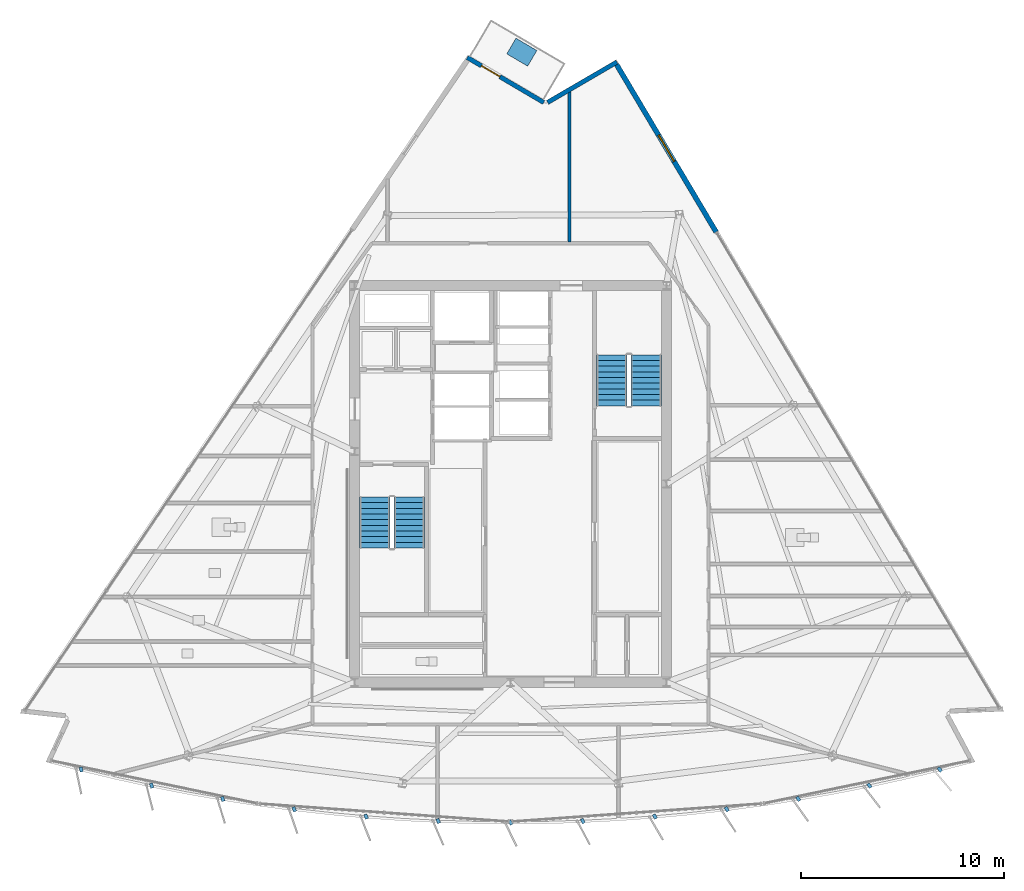
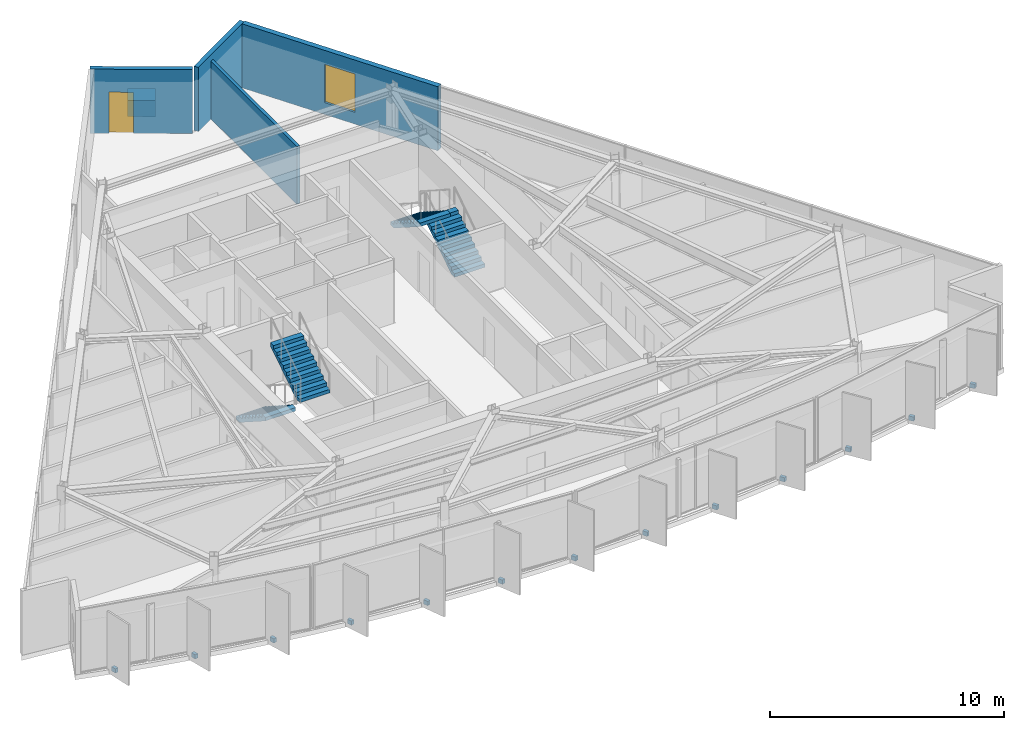
# One storey, part 9 of 13: 14 discrete accessories, 4 stair flights, 4 walls, 1 door, 1 window, 2 openings, 2 elements without a shape of their own.
"""IFC4 building model written with IfcOpenShell, lengths in metres."""

from ifc_helpers import new_model, si_unit, direction, frame, frame_2d, origin, origin_2d, place, context, subcontext, project, spatial, polyline, rectangle, outline, extrude, material, layer, layer_set, type_object, element, fill, aggregate, save


model = new_model("IFC4")

# Units and contexts
model_context = context("Model", 3, precision=1e-05, world=origin(), true_north=direction((0.0, 1.0)))
body_context = subcontext(model_context, "Body", "Model", "MODEL_VIEW")
ifc_project = project(units=[si_unit("LENGTHUNIT", "METRE"), si_unit("AREAUNIT", "SQUARE_METRE"), si_unit("VOLUMEUNIT", "CUBIC_METRE"), si_unit("PLANEANGLEUNIT", "RADIAN"), si_unit("MASSUNIT", "GRAM", prefix="KILO")], contexts=[model_context])

# Site, building, storey
site_placement = place(None, origin())
site = spatial("IfcSite", under=ifc_project, at=site_placement, CompositionType="ELEMENT")
building_placement = place(site_placement, origin())
building = spatial("IfcBuilding", under=site, at=building_placement, Name="Savorim Split Tower", CompositionType="ELEMENT")
storey_placement = place(building_placement, frame((0.0, 0.0, 250.800048828125)))
storey = spatial("IfcBuildingStorey", under=building, at=storey_placement, Name="L66", CompositionType="ELEMENT", Elevation=250.800048828125)

# Wall
ifc_material_1 = material(Name="Precast concrete C40/50", Category="concrete")
ifc_layer_1 = layer(ifc_material_1, 0.219970703125)
ifc_layer_set_1 = layer_set([ifc_layer_1], Name="WAL-EXT-CRN220")
wall_type_1 = type_object("IfcWallType", Name="WAL-EXT-CRN220", PredefinedType="SOLIDWALL", material=ifc_layer_set_1)
wall_1_placement = place(storey_placement, frame((1.832275390625, 19.233642578125, 0.0), z_axis=(0.0, 0.0, 1.0), x_axis=(0.86397765749, 0.503530145432, 0.0)))
element("IfcWall", 1, at=wall_1_placement, inside=storey, type_object=wall_type_1, Name="L66 Notched Corner Facade Wall NE1", PredefinedType="SOLIDWALL", context=body_context, shape_type="SweptSolid", body=[
    extrude(rectangle(XDim=3.963623046875, YDim=0.219970703125, at=frame_2d((1.98193359375, 0.0))), origin(), (0.0, 0.0, 1.0), 3.349853515625),
])

# Wall, opening, door
wall_2_placement = place(storey_placement, frame((-2.1337890625, 21.453125, 0.0), z_axis=(0.0, 0.0, 1.0), x_axis=(0.862106131527, -0.506727755292, 0.0)))
wall_2 = element("IfcWall", 2, at=wall_2_placement, inside=storey, type_object=wall_type_1, Name="L66 Notched Corner Facade Wall N", PredefinedType="SOLIDWALL", context=body_context, shape_type="SweptSolid", body=[
    extrude(rectangle(XDim=4.379638671875, YDim=0.219970703125, at=frame_2d((2.18994140625, 0.0))), origin(), (0.0, 0.0, 1.0), 3.349853515625),
])
opening_1_placement = place(wall_2_placement, frame((0.814697265625, 0.0, 0.0)))
opening_1 = element("IfcOpeningElement", 3, at=opening_1_placement, cuts=wall_2, Name="Opening DB-01", PredefinedType="OPENING", context=body_context, shape_type="SweptSolid", body=[
    extrude(rectangle(XDim=1.050048828125, YDim=2.14990234375, at=frame_2d((0.52490234375, 1.074951171875))), frame((0.0, 0.119873046875, 0.0), z_axis=(0.0, -1.0, 0.0), x_axis=(1.0, 0.0, 0.0)), (0.0, 0.0, 1.0), 0.239990234375),
])
ifc_material_2 = material(Name="Charcoal Anodised Aluminium", Category="aluminium")
door_type = type_object("IfcDoorType", Name="DOR-BAL-1050", OperationType="NOTDEFINED", PredefinedType="DOOR", material=ifc_material_2)
door_placement = place(opening_1_placement, origin())
door = element("IfcDoor", 4, at=door_placement, inside=storey, type_object=door_type, Name="DOR-L66-TBAL-N - L66 Planted Tree Balcony Door N", OperationType="SINGLE_SWING_LEFT", OverallHeight=2.14990234375, OverallWidth=1.050048828125, PredefinedType="DOOR", context=body_context, shape_type="SweptSolid", body=[
    extrude(rectangle(XDim=1.050048828125, YDim=2.14990234375, at=frame_2d((0.52490234375, 1.074951171875))), frame((0.0, 0.02490234375, 0.0), z_axis=(0.0, -1.0, 0.0), x_axis=(1.0, 0.0, 0.0)), (0.0, 0.0, 1.0), 0.050048828125),
])
fill(opening_1, door)

# Wall, opening, window
ifc_layer_2 = layer(ifc_material_1, 0.25)
ifc_layer_set_2 = layer_set([ifc_layer_2], Name="WAL-EXT-SPN250")
wall_type_2 = type_object("IfcWallType", Name="WAL-EXT-SPN250", PredefinedType="SOLIDWALL", material=ifc_layer_set_2)
wall_3_placement = place(storey_placement, frame((5.240234375, 21.10302734375, 0.0), z_axis=(0.0, 0.0, 1.0), x_axis=(0.511088566076, -0.859528055171, 0.0)))
wall_3 = element("IfcWall", 5, at=wall_3_placement, inside=storey, type_object=wall_type_2, Name="L66 East Operable Window Pier", PredefinedType="SOLIDWALL", context=body_context, shape_type="SweptSolid", body=[
    extrude(rectangle(XDim=9.62158203125, YDim=0.25, at=frame_2d((4.810791015625, 0.0))), origin(), (0.0, 0.0, 1.0), 3.349853515625),
])
opening_2_placement = place(wall_3_placement, frame((4.060791015625, 0.0, 0.6201171875)))
opening_2 = element("IfcOpeningElement", 6, at=opening_2_placement, cuts=wall_3, Name="Opening WN-06", PredefinedType="OPENING", context=body_context, shape_type="SweptSolid", body=[
    extrude(rectangle(XDim=1.5, YDim=2.0, at=frame_2d((0.75, 1.0))), frame((0.0, 0.135009765625, 0.0), z_axis=(0.0, -1.0, 0.0), x_axis=(1.0, 0.0, 0.0)), (0.0, 0.0, 1.0), 0.27001953125),
])
ifc_material_3 = material(Name="Low-E Operable Double Glazing", Category="glass")
window_type = type_object("IfcWindowType", Name="WIN-TWR-1500x2000", PartitioningType="SINGLE_PANEL", PredefinedType="WINDOW", material=ifc_material_3)
window_placement = place(opening_2_placement, origin())
window = element("IfcWindow", 7, at=window_placement, inside=storey, type_object=window_type, Name="L66 East Operable Ventilation Window", OverallHeight=2.0, OverallWidth=1.5, PartitioningType="SINGLE_PANEL", PredefinedType="WINDOW", context=body_context, shape_type="SweptSolid", body=[
    extrude(rectangle(XDim=1.5, YDim=2.0, at=frame_2d((0.75, 1.0))), frame((0.0, 0.030029296875, 0.0), z_axis=(0.0, -1.0, 0.0), x_axis=(1.0, 0.0, 0.0)), (0.0, 0.0, 1.0), 0.06005859375),
])
fill(opening_2, window)

# Wall
ifc_material_4 = material(Name="Acoustic Gypsum Partition Board")
ifc_layer_3 = layer(ifc_material_4, 0.14990234375)
ifc_layer_set_3 = layer_set([ifc_layer_3], Name="WAL-PAR-150")
wall_type_3 = type_object("IfcWallType", Name="WAL-PAR-150", PredefinedType="PARTITIONING", material=ifc_layer_set_3)
wall_4_placement = place(storey_placement, frame((2.902587890625, 12.340087890625, 0.0), z_axis=(0.0, 0.0, 1.0), x_axis=(0.0, 1.0, 0.0)))
element("IfcWall", 8, at=wall_4_placement, inside=storey, type_object=wall_type_3, Name="L66 Partition W-L66-SUB11", PredefinedType="PARTITIONING", context=body_context, shape_type="SweptSolid", body=[
    extrude(rectangle(XDim=7.459716796875, YDim=0.14990234375, at=frame_2d((3.72998046875, 0.0))), origin(), (0.0, 0.0, 1.0), 3.014892578125),
])

# Stair, stair flights
ifc_material_5 = material(Name="Concrete C50/60", Category="concrete")
stair_type = type_object("IfcStairType", Name="STR-DOG-3600", PredefinedType="HALF_TURN_STAIR", material=ifc_material_5)
stair_1_placement = place(storey_placement, origin())
stair_1 = element("IfcStair", 9, at=stair_1_placement, inside=storey, type_object=stair_type, Name="L66 Core Protected Exit Stair ST-1", PredefinedType="HALF_TURN_STAIR")
stair_flight_type = type_object("IfcStairFlightType", Name="SFL-DOG-3600", PredefinedType="STRAIGHT", material=ifc_material_5)
stair_flight_1_placement = place(storey_placement, frame((-6.699951171875, -0.25, 0.0), z_axis=(0.0, 0.0, 1.0), x_axis=(0.0, -1.0, 0.0)))
stair_flight_1 = element("IfcStairFlight", 10, at=stair_flight_1_placement, type_object=stair_flight_type, Name="ST-1 flight 1", NumberOfRisers=10, NumberOfTreads=9, PredefinedType="STRAIGHT", RiserHeight=0.18, TreadLength=0.28, context=body_context, shape_type="SweptSolid", body=[
    extrude(outline(polyline([(0.0, 0.0), (0.0, 0.179931640625), (0.280029296875, 0.179931640625), (0.280029296875, 0.360107421875), (0.56005859375, 0.360107421875), (0.56005859375, 0.5400390625), (0.840087890625, 0.5400390625), (0.840087890625, 0.719970703125), (1.1201171875, 0.719970703125), (1.1201171875, 0.89990234375), (1.39990234375, 0.89990234375), (1.39990234375, 1.080078125), (1.679931640625, 1.080078125), (1.679931640625, 1.260009765625), (1.9599609375, 1.260009765625), (1.9599609375, 1.43994140625), (2.239990234375, 1.43994140625), (2.239990234375, 1.6201171875), (2.52001953125, 1.6201171875), (2.52001953125, 1.800048828125), (2.52001953125, 1.44189453125), (0.277099609375, 0.0), (0.0, 0.0)])), frame((0.0, 0.75, 0.0), z_axis=(0.0, -1.0, 0.0), x_axis=(1.0, 0.0, 0.0)), (0.0, 0.0, 1.0), 1.5),
])
stair_flight_2_placement = place(storey_placement, frame((-5.0, -2.77001953125, 1.800048828125), z_axis=(0.0, 0.0, 1.0), x_axis=(0.0, 1.0, 0.0)))
stair_flight_2 = element("IfcStairFlight", 11, at=stair_flight_2_placement, type_object=stair_flight_type, Name="ST-1 flight 2", NumberOfRisers=10, NumberOfTreads=9, PredefinedType="STRAIGHT", RiserHeight=0.18, TreadLength=0.28, context=body_context, shape_type="SweptSolid", body=[
    extrude(outline(polyline([(0.0, 0.0), (0.0, 0.179931640625), (0.280029296875, 0.179931640625), (0.280029296875, 0.360107421875), (0.56005859375, 0.360107421875), (0.56005859375, 0.5400390625), (0.840087890625, 0.5400390625), (0.840087890625, 0.719970703125), (1.1201171875, 0.719970703125), (1.1201171875, 0.89990234375), (1.39990234375, 0.89990234375), (1.39990234375, 1.080078125), (1.679931640625, 1.080078125), (1.679931640625, 1.260009765625), (1.9599609375, 1.260009765625), (1.9599609375, 1.43994140625), (2.239990234375, 1.43994140625), (2.239990234375, 1.6201171875), (2.52001953125, 1.6201171875), (2.52001953125, 1.800048828125), (2.52001953125, 1.44189453125), (0.277099609375, 0.0), (0.0, 0.0)])), frame((0.0, 0.75, 0.0), z_axis=(0.0, -1.0, 0.0), x_axis=(1.0, 0.0, 0.0)), (0.0, 0.0, 1.0), 1.5),
])
aggregate(stair_1, [stair_flight_1, stair_flight_2])

stair_2_placement = place(storey_placement, origin())
stair_2 = element("IfcStair", 12, at=stair_2_placement, inside=storey, type_object=stair_type, Name="L66 Core Protected Exit Stair ST-2", PredefinedType="HALF_TURN_STAIR")
stair_flight_3_placement = place(storey_placement, frame((6.699951171875, 4.25, 0.0), z_axis=(0.0, 0.0, 1.0), x_axis=(0.0, 1.0, 0.0)))
stair_flight_3 = element("IfcStairFlight", 13, at=stair_flight_3_placement, type_object=stair_flight_type, Name="ST-2 flight 1", NumberOfRisers=10, NumberOfTreads=9, PredefinedType="STRAIGHT", RiserHeight=0.18, TreadLength=0.28, context=body_context, shape_type="SweptSolid", body=[
    extrude(outline(polyline([(0.0, 0.0), (0.0, 0.179931640625), (0.280029296875, 0.179931640625), (0.280029296875, 0.360107421875), (0.56005859375, 0.360107421875), (0.56005859375, 0.5400390625), (0.840087890625, 0.5400390625), (0.840087890625, 0.719970703125), (1.1201171875, 0.719970703125), (1.1201171875, 0.89990234375), (1.39990234375, 0.89990234375), (1.39990234375, 1.080078125), (1.679931640625, 1.080078125), (1.679931640625, 1.260009765625), (1.9599609375, 1.260009765625), (1.9599609375, 1.43994140625), (2.239990234375, 1.43994140625), (2.239990234375, 1.6201171875), (2.52001953125, 1.6201171875), (2.52001953125, 1.800048828125), (2.52001953125, 1.44189453125), (0.277099609375, 0.0), (0.0, 0.0)])), frame((0.0, 0.75, 0.0), z_axis=(0.0, -1.0, 0.0), x_axis=(1.0, 0.0, 0.0)), (0.0, 0.0, 1.0), 1.5),
])
stair_flight_4_placement = place(storey_placement, frame((5.0, 6.77001953125, 1.800048828125), z_axis=(0.0, 0.0, 1.0), x_axis=(0.0, -1.0, 0.0)))
stair_flight_4 = element("IfcStairFlight", 14, at=stair_flight_4_placement, type_object=stair_flight_type, Name="ST-2 flight 2", NumberOfRisers=10, NumberOfTreads=9, PredefinedType="STRAIGHT", RiserHeight=0.18, TreadLength=0.28, context=body_context, shape_type="SweptSolid", body=[
    extrude(outline(polyline([(0.0, 0.0), (0.0, 0.179931640625), (0.280029296875, 0.179931640625), (0.280029296875, 0.360107421875), (0.56005859375, 0.360107421875), (0.56005859375, 0.5400390625), (0.840087890625, 0.5400390625), (0.840087890625, 0.719970703125), (1.1201171875, 0.719970703125), (1.1201171875, 0.89990234375), (1.39990234375, 0.89990234375), (1.39990234375, 1.080078125), (1.679931640625, 1.080078125), (1.679931640625, 1.260009765625), (1.9599609375, 1.260009765625), (1.9599609375, 1.43994140625), (2.239990234375, 1.43994140625), (2.239990234375, 1.6201171875), (2.52001953125, 1.6201171875), (2.52001953125, 1.800048828125), (2.52001953125, 1.44189453125), (0.277099609375, 0.0), (0.0, 0.0)])), frame((0.0, 0.75, 0.0), z_axis=(0.0, -1.0, 0.0), x_axis=(1.0, 0.0, 0.0)), (0.0, 0.0, 1.0), 1.5),
])
aggregate(stair_2, [stair_flight_3, stair_flight_4])

# Discrete accessories
ifc_material_6 = material(Name="Steel S355", Category="steel")
discrete_accessory_type_1 = type_object("IfcDiscreteAccessoryType", Name="ACC-BRK-FIN", PredefinedType="BRACKET", material=ifc_material_6)
for number, where, z_axis, x_axis, name in (
    (15, (-21.19970703125, -13.70703125, -0.18994140625), (0.0, 0.0, 1.0), (0.206721626106, -0.978399800337, 0.0), "L66 Fin Slab-Edge Cleat Bracket 01"),
    (16, (-17.720947265625, -14.503662109375, -0.18994140625), (0.0, 0.0, 1.0), (0.246581250663, -0.969122121727, 0.0), "L66 Fin Slab-Edge Cleat Bracket 02"),
    (17, (-14.21240234375, -15.1572265625, -0.18994140625), (0.0, 0.0, 1.0), (0.286026212504, -0.958221793616, 0.0), "L66 Fin Slab-Edge Cleat Bracket 03"),
    (18, (-10.680419921875, -15.666748046875, -0.18994140625), (0.0, 0.0, 1.0), (0.324993810493, -0.945716143005, 0.0), "L66 Fin Slab-Edge Cleat Bracket 04"),
    (19, (-7.130126953125, -16.03125, -0.18994140625), (0.0, 0.0, 1.0), (0.363415461732, -0.931627179817, 0.0), "L66 Fin Slab-Edge Cleat Bracket 05"),
    (20, (-3.568115234375, -16.250244140625, -0.18994140625), (0.0, 0.0, 1.0), (0.401230091723, -0.915977299662, 0.0), "L66 Fin Slab-Edge Cleat Bracket 06"),
    (21, (0.0, -16.3232421875, -0.18994140625), (0.0, 0.0, 1.0), (0.438371146789, -0.898794046299, 0.0), "L66 Fin Slab-Edge Cleat Bracket 07"),
    (22, (3.568115234375, -16.250244140625, -0.18994140625), (0.0, 0.0, 1.0), (0.474778051978, -0.880105562623, 0.0), "L66 Fin Slab-Edge Cleat Bracket 08"),
    (23, (7.130126953125, -16.03125, -0.18994140625), (0.0, 0.0, 1.0), (0.510391336723, -0.859942255851, 0.0), "L66 Fin Slab-Edge Cleat Bracket 09"),
    (24, (10.680419921875, -15.666748046875, -0.18994140625), (0.0, 0.0, 1.0), (0.545148321708, -0.838339613366, 0.0), "L66 Fin Slab-Edge Cleat Bracket 10"),
    (25, (14.21240234375, -15.1572265625, -0.18994140625), (0.0, 0.0, 1.0), (0.578993757737, -0.815331974414, 0.0), "L66 Fin Slab-Edge Cleat Bracket 11"),
    (26, (17.720947265625, -14.503662109375, -0.18994140625), (0.0, 0.0, 1.0), (0.611868076908, -0.790959832394, 0.0), "L66 Fin Slab-Edge Cleat Bracket 12"),
    (27, (21.19970703125, -13.70703125, -0.18994140625), (0.0, 0.0, 1.0), (0.643719022682, -0.765261928909, 0.0), "L66 Fin Slab-Edge Cleat Bracket 13"),
):
    element("IfcDiscreteAccessory", number, at=place(storey_placement, frame(where, z_axis=z_axis, x_axis=x_axis)), inside=storey, type_object=discrete_accessory_type_1, Name=name, PredefinedType="BRACKET", context=body_context, shape_type="SweptSolid", body=[
        extrude(rectangle(XDim=0.239990234375, YDim=0.159912109375, at=origin_2d()), origin(), (0.0, 0.0, 1.0), 0.219970703125),
    ])
ifc_material_7 = material(Name="Architectural Precast Planter Concrete C40/50", Category="concrete")
discrete_accessory_type_2 = type_object("IfcDiscreteAccessoryType", Name="ACC-PLN-TREE", PredefinedType="USERDEFINED", material=ifc_material_7)
discrete_accessory_placement = place(storey_placement, frame((0.5595703125, 21.71435546875, 0.0), z_axis=(0.0, 0.0, 1.0), x_axis=(-0.862124808883, 0.50669597779, 0.0)))
element("IfcDiscreteAccessory", 28, at=discrete_accessory_placement, inside=storey, type_object=discrete_accessory_type_2, Name="L66 Balcony Precast Tree Planter N", ObjectType="PLANTER", PredefinedType="USERDEFINED", context=body_context, shape_type="SweptSolid", body=[
    extrude(rectangle(XDim=1.199951171875, YDim=0.89990234375, at=origin_2d()), origin(), (0.0, 0.0, 1.0), 0.85009765625),
])

save(model, "model.ifc")
